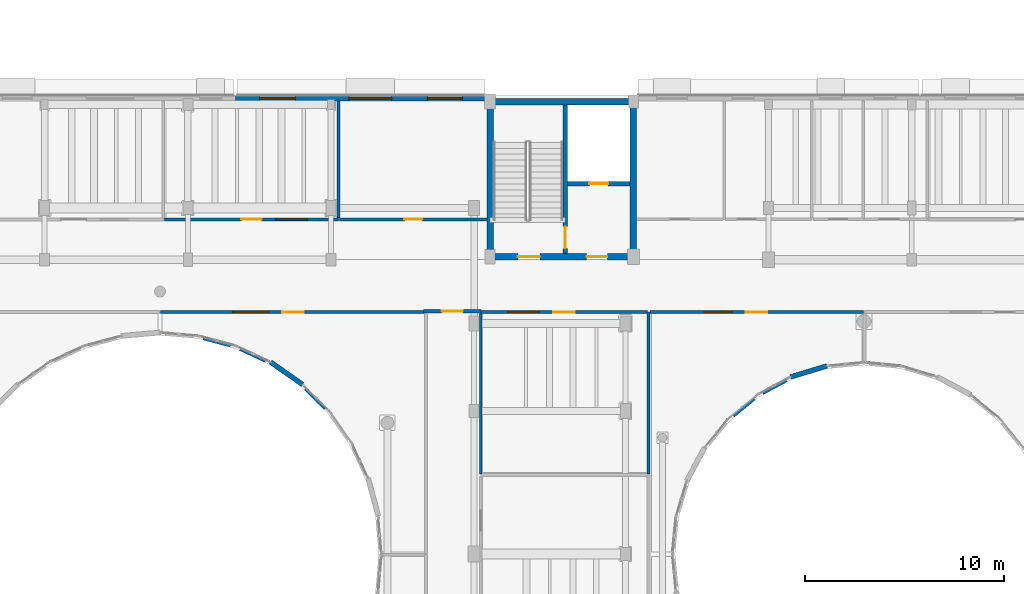
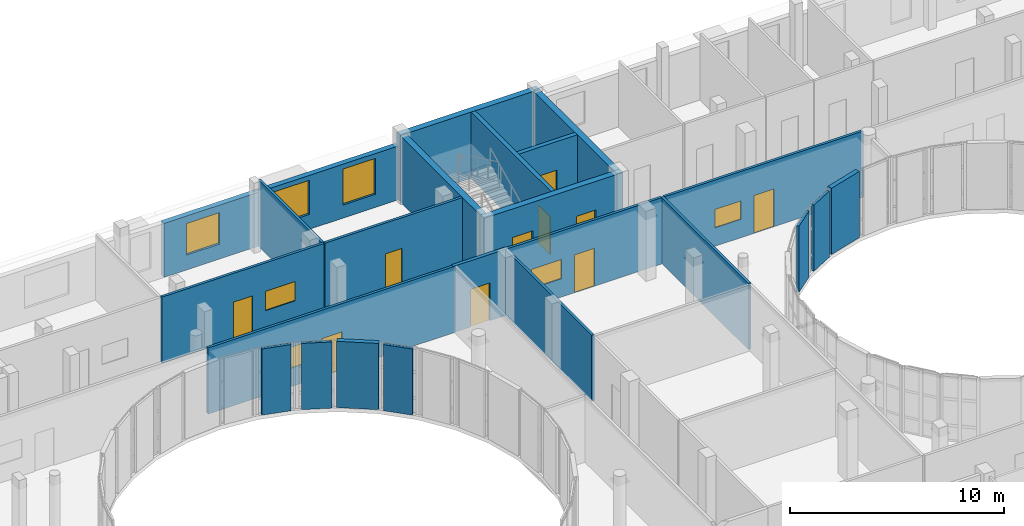
# One storey, part 83 of 105: 23 walls, 10 doors, 7 windows, 17 openings.
"""IFC4 building model written with IfcOpenShell, lengths in metres."""

from ifc_helpers import new_model, si_unit, direction, frame, frame_2d, origin, place, context, subcontext, project, spatial, rectangle, extrude, material, layer, layer_set, type_object, element, fill, save


model = new_model("IFC4")

# Units and contexts
model_context = context("Model", 3, precision=1e-05, world=origin(), true_north=direction((0.0, 1.0)))
body_context = subcontext(model_context, "Body", "Model", "MODEL_VIEW")
ifc_project = project(units=[si_unit("LENGTHUNIT", "METRE"), si_unit("AREAUNIT", "SQUARE_METRE"), si_unit("VOLUMEUNIT", "CUBIC_METRE"), si_unit("PLANEANGLEUNIT", "RADIAN"), si_unit("MASSUNIT", "GRAM", prefix="KILO")], contexts=[model_context])

# Site, building, storey
site_placement = place(None, origin())
site = spatial("IfcSite", under=ifc_project, at=site_placement, CompositionType="ELEMENT")
building_placement = place(site_placement, origin())
building = spatial("IfcBuilding", under=site, at=building_placement, Name="Kelanivale Promenade Academy", CompositionType="ELEMENT")
storey_placement = place(building_placement, frame((0.0, 0.0, 4.199951171875)))
storey = spatial("IfcBuildingStorey", under=building, at=storey_placement, Name="L01", CompositionType="ELEMENT", Elevation=4.199951171875)

# Wall, openings, doors
ifc_material_1 = material(Name="Concrete C40/50", Category="concrete")
ifc_layer_1 = layer(ifc_material_1, 0.330078125)
ifc_layer_set_1 = layer_set([ifc_layer_1], Name="Concrete C40/50")
wall_type_1 = type_object("IfcWallType", Name="CW-S1 Wall 330mm", PredefinedType="SHEAR", material=ifc_layer_set_1)
wall_1_placement = place(storey_placement, frame((79.8349609375, 71.75, 0.0), z_axis=(0.0, 0.0, 1.0), x_axis=(1.0, 0.0, 0.0)))
wall_1 = element("IfcWall", 1, at=wall_1_placement, inside=storey, type_object=wall_type_1, Name="CORE-2 RC shear wall S L01", PredefinedType="SHEAR", context=body_context, shape_type="SweptSolid", body=[
    extrude(rectangle(XDim=7.530029296875, YDim=0.330078125, at=frame_2d((3.76513671875, 0.0))), origin(), (0.0, 0.0, 1.0), 3.780029296875),
])
opening_1_placement = place(wall_1_placement, frame((5.014892578125, 0.0, 0.0)))
opening_1 = element("IfcOpeningElement", 2, at=opening_1_placement, cuts=wall_1, Name="Opening FD-CORE-2-LB-L01", PredefinedType="OPENING", context=body_context, shape_type="SweptSolid", body=[
    extrude(rectangle(XDim=1.050048828125, YDim=2.14990234375, at=frame_2d((0.52490234375, 1.074951171875))), frame((0.0, 0.175048828125, 0.0), z_axis=(0.0, -1.0, 0.0), x_axis=(1.0, 0.0, 0.0)), (0.0, 0.0, 1.0), 0.35009765625),
])
opening_2_placement = place(wall_1_placement, frame((1.56494140625, 0.0, 0.0)))
opening_2 = element("IfcOpeningElement", 3, at=opening_2_placement, cuts=wall_1, Name="Opening FD-CORE-2-ST-L01", PredefinedType="OPENING", context=body_context, shape_type="SweptSolid", body=[
    extrude(rectangle(XDim=1.10009765625, YDim=2.14990234375, at=frame_2d((0.550048828125, 1.074951171875))), frame((0.0, 0.175048828125, 0.0), z_axis=(0.0, -1.0, 0.0), x_axis=(1.0, 0.0, 0.0)), (0.0, 0.0, 1.0), 0.35009765625),
])
ifc_material_2 = material(Name="Fire-rated steel-core teak veneer", Category="steel")
door_type_1 = type_object("IfcDoorType", Name="DT-F01 Door 1100x2150", OperationType="NOTDEFINED", PredefinedType="DOOR", material=ifc_material_2)
door_1_placement = place(opening_2_placement, frame((1.10009765625, 0.0, 0.0), z_axis=(0.0, 0.0, 1.0), x_axis=(-1.0, 0.0, 0.0)))
door_1 = element("IfcDoor", 4, at=door_1_placement, inside=storey, type_object=door_type_1, Name="CORE-2 protected stair fire door L01", OperationType="SINGLE_SWING_RIGHT", OverallHeight=2.14990234375, OverallWidth=1.10009765625, PredefinedType="DOOR", context=body_context, shape_type="SweptSolid", body=[
    extrude(rectangle(XDim=1.10009765625, YDim=2.14990234375, at=frame_2d((0.550048828125, 1.074951171875))), frame((0.0, 0.02490234375, 0.0), z_axis=(0.0, -1.0, 0.0), x_axis=(1.0, 0.0, 0.0)), (0.0, 0.0, 1.0), 0.050048828125),
])
fill(opening_2, door_1)
door_type_2 = type_object("IfcDoorType", Name="DT-F03 Door 1050x2150", OperationType="NOTDEFINED", PredefinedType="DOOR", material=ifc_material_2)
door_2_placement = place(opening_1_placement, origin())
door_2 = element("IfcDoor", 5, at=door_2_placement, inside=storey, type_object=door_type_2, Name="CORE-2 corridor-to-lobby fire door L01", OperationType="SINGLE_SWING_LEFT", OverallHeight=2.14990234375, OverallWidth=1.050048828125, PredefinedType="DOOR", context=body_context, shape_type="SweptSolid", body=[
    extrude(rectangle(XDim=1.050048828125, YDim=2.14990234375, at=frame_2d((0.52490234375, 1.074951171875))), frame((0.0, 0.02490234375, 0.0), z_axis=(0.0, -1.0, 0.0), x_axis=(1.0, 0.0, 0.0)), (0.0, 0.0, 1.0), 0.050048828125),
])
fill(opening_1, door_2)

# Walls
wall_2_placement = place(storey_placement, frame((79.8349609375, 79.550048828125, 0.0), z_axis=(0.0, 0.0, 1.0), x_axis=(1.0, 0.0, 0.0)))
element("IfcWall", 6, at=wall_2_placement, inside=storey, type_object=wall_type_1, Name="CORE-2 RC shear wall N L01", PredefinedType="SHEAR", context=body_context, shape_type="SweptSolid", body=[
    extrude(rectangle(XDim=7.530029296875, YDim=0.330078125, at=frame_2d((3.76513671875, 0.0))), origin(), (0.0, 0.0, 1.0), 3.780029296875),
])
for number, where, z_axis, x_axis, name in (
    (7, (80.0, 71.9150390625, 0.0), (0.0, 0.0, 1.0), (0.0, 1.0, 0.0), "CORE-2 RC shear wall W L01"),
    (8, (87.199951171875, 71.9150390625, 0.0), (0.0, 0.0, 1.0), (0.0, 1.0, 0.0), "CORE-2 RC shear wall E L01"),
):
    element("IfcWall", number, at=place(storey_placement, frame(where, z_axis=z_axis, x_axis=x_axis)), inside=storey, type_object=wall_type_1, Name=name, PredefinedType="SHEAR", context=body_context, shape_type="SweptSolid", body=[
        extrude(rectangle(XDim=7.469970703125, YDim=0.330078125, at=frame_2d((3.73486328125, 0.0))), origin(), (0.0, 0.0, 1.0), 3.780029296875),
    ])

# Wall, opening, door
ifc_layer_2 = layer(ifc_material_1, 0.22509765625)
ifc_layer_set_2 = layer_set([ifc_layer_2], Name="Concrete C40/50")
wall_type_2 = type_object("IfcWallType", Name="CW-S2 Wall 225mm", PredefinedType="SHEAR", material=ifc_layer_set_2)
wall_3_placement = place(storey_placement, frame((83.885009765625, 75.419921875, 0.0), z_axis=(0.0, 0.0, 1.0), x_axis=(1.0, 0.0, 0.0)))
wall_3 = element("IfcWall", 9, at=wall_3_placement, inside=storey, type_object=wall_type_2, Name="CORE-2 lift shaft front RC wall L01", PredefinedType="SHEAR", context=body_context, shape_type="SweptSolid", body=[
    extrude(rectangle(XDim=3.14990234375, YDim=0.22509765625, at=frame_2d((1.574951171875, 0.0))), origin(), (0.0, 0.0, 1.0), 3.780029296875),
])
opening_3_placement = place(wall_3_placement, frame((1.10009765625, 0.0, 0.0)))
opening_3 = element("IfcOpeningElement", 10, at=opening_3_placement, cuts=wall_3, Name="Opening LD-LF-FF2-L01", PredefinedType="OPENING", context=body_context, shape_type="SweptSolid", body=[
    extrude(rectangle(XDim=0.949951171875, YDim=2.14990234375, at=frame_2d((0.47509765625, 1.074951171875))), frame((0.0, 0.12255859375, 0.0), z_axis=(0.0, -1.0, 0.0), x_axis=(1.0, 0.0, 0.0)), (0.0, 0.0, 1.0), 0.2451171875),
])
door_type_3 = type_object("IfcDoorType", Name="LD-FF1 Door 950x2150", OperationType="NOTDEFINED", PredefinedType="DOOR", material=ifc_material_2)
door_3_placement = place(opening_3_placement, origin())
door_3 = element("IfcDoor", 11, at=door_3_placement, inside=storey, type_object=door_type_3, Name="Firefighting lift landing door LD-LF-FF2-L01", OperationType="SLIDING_TO_LEFT", OverallHeight=2.14990234375, OverallWidth=0.949951171875, PredefinedType="DOOR", context=body_context, shape_type="SweptSolid", body=[
    extrude(rectangle(XDim=0.949951171875, YDim=2.14990234375, at=frame_2d((0.47509765625, 1.074951171875))), frame((0.0, 0.02490234375, 0.0), z_axis=(0.0, -1.0, 0.0), x_axis=(1.0, 0.0, 0.0)), (0.0, 0.0, 1.0), 0.050048828125),
])
fill(opening_3, door_3)

ifc_layer_3 = layer(ifc_material_1, 0.219970703125)
ifc_layer_set_3 = layer_set([ifc_layer_3], Name="Concrete C40/50")
wall_type_3 = type_object("IfcWallType", Name="CW-S3 Wall 220mm", PredefinedType="SHEAR", material=ifc_layer_set_3)
wall_4_placement = place(storey_placement, frame((83.77490234375, 71.9150390625, 0.0), z_axis=(0.0, 0.0, 1.0), x_axis=(0.0, 1.0, 0.0)))
wall_4 = element("IfcWall", 12, at=wall_4_placement, inside=storey, type_object=wall_type_3, Name="CORE-2 stair-lobby dividing RC wall L01", PredefinedType="SHEAR", context=body_context, shape_type="SweptSolid", body=[
    extrude(rectangle(XDim=7.469970703125, YDim=0.219970703125, at=frame_2d((3.73486328125, 0.0))), origin(), (0.0, 0.0, 1.0), 3.780029296875),
])
opening_4_placement = place(wall_4_placement, frame((0.25, 0.0, 0.0)))
opening_4 = element("IfcOpeningElement", 13, at=opening_4_placement, cuts=wall_4, Name="Opening FD-CORE-2-SL-L01", PredefinedType="OPENING", context=body_context, shape_type="SweptSolid", body=[
    extrude(rectangle(XDim=1.10009765625, YDim=2.14990234375, at=frame_2d((0.550048828125, 1.074951171875))), frame((0.0, 0.1201171875, 0.0), z_axis=(0.0, -1.0, 0.0), x_axis=(1.0, 0.0, 0.0)), (0.0, 0.0, 1.0), 0.239990234375),
])
door_4_placement = place(opening_4_placement, origin())
door_4 = element("IfcDoor", 14, at=door_4_placement, inside=storey, type_object=door_type_1, Name="CORE-2 lobby-to-stair fire door L01", OperationType="SINGLE_SWING_RIGHT", OverallHeight=2.14990234375, OverallWidth=1.10009765625, PredefinedType="DOOR", context=body_context, shape_type="SweptSolid", body=[
    extrude(rectangle(XDim=1.10009765625, YDim=2.14990234375, at=frame_2d((0.550048828125, 1.074951171875))), frame((0.0, 0.02490234375, 0.0), z_axis=(0.0, -1.0, 0.0), x_axis=(1.0, 0.0, 0.0)), (0.0, 0.0, 1.0), 0.050048828125),
])
fill(opening_4, door_4)

# Wall, openings, windows
ifc_material_3 = material(Name="Insulated ivory stucco masonry wall 280 mm", Category="masonry")
ifc_layer_4 = layer(ifc_material_3, 0.280029296875)
ifc_layer_set_4 = layer_set([ifc_layer_4], Name="Insulated ivory stucco masonry wall 280 mm")
wall_type_4 = type_object("IfcWallType", Name="EW-02 Wall 280mm", PredefinedType="SOLIDWALL", material=ifc_layer_set_4)
wall_5_placement = place(storey_placement, frame((79.8349609375, 79.7099609375, 0.0), z_axis=(0.0, 0.0, 1.0), x_axis=(-1.0, 0.0, 0.0)))
wall_5 = element("IfcWall", 15, at=wall_5_placement, inside=storey, type_object=wall_type_4, Name="L01 exterior facade wall EW-L01-ORT-0382", PredefinedType="SOLIDWALL", context=body_context, shape_type="SweptSolid", body=[
    extrude(rectangle(XDim=12.635009765625, YDim=0.280029296875, at=frame_2d((6.3173828125, 0.0))), origin(), (0.0, 0.0, 1.0), 3.074951171875),
])
opening_5_placement = place(wall_5_placement, frame((1.23095703125, 0.0, 0.75)))
opening_5 = element("IfcOpeningElement", 16, at=opening_5_placement, cuts=wall_5, Name="Opening WT-32", PredefinedType="OPENING", context=body_context, shape_type="SweptSolid", body=[
    extrude(rectangle(XDim=1.75, YDim=2.050048828125, at=frame_2d((0.875, 1.02490234375))), frame((0.0, 0.14990234375, 0.0), z_axis=(0.0, -1.0, 0.0), x_axis=(1.0, 0.0, 0.0)), (0.0, 0.0, 1.0), 0.300048828125),
])
opening_6_placement = place(wall_5_placement, frame((4.7919921875, 0.0, 0.85009765625)))
opening_6 = element("IfcOpeningElement", 17, at=opening_6_placement, cuts=wall_5, Name="Opening WT-33", PredefinedType="OPENING", context=body_context, shape_type="SweptSolid", body=[
    extrude(rectangle(XDim=2.14990234375, YDim=1.949951171875, at=frame_2d((1.074951171875, 0.97509765625))), frame((0.0, 0.14990234375, 0.0), z_axis=(0.0, -1.0, 0.0), x_axis=(1.0, 0.0, 0.0)), (0.0, 0.0, 1.0), 0.300048828125),
])
opening_7_placement = place(wall_5_placement, frame((9.62890625, 0.0, 0.85009765625)))
opening_7 = element("IfcOpeningElement", 18, at=opening_7_placement, cuts=wall_5, Name="Opening WT-01", PredefinedType="OPENING", context=body_context, shape_type="SweptSolid", body=[
    extrude(rectangle(XDim=1.800048828125, YDim=1.800048828125, at=frame_2d((0.89990234375, 0.89990234375))), frame((0.0, 0.14990234375, 0.0), z_axis=(0.0, -1.0, 0.0), x_axis=(1.0, 0.0, 0.0)), (0.0, 0.0, 1.0), 0.300048828125),
])
ifc_material_4 = material(Name="Bronze anodised aluminium frame with low-E laminated glass", Category="aluminium")
window_type_1 = type_object("IfcWindowType", Name="WT-01 Window 1800x1800", PartitioningType="SINGLE_PANEL", PredefinedType="WINDOW", material=ifc_material_4)
window_1_placement = place(opening_7_placement, origin())
window_1 = element("IfcWindow", 19, at=window_1_placement, inside=storey, type_object=window_type_1, Name="Window WT-01", OverallHeight=1.800048828125, OverallWidth=1.800048828125, PartitioningType="SINGLE_PANEL", PredefinedType="WINDOW", context=body_context, shape_type="SweptSolid", body=[
    extrude(rectangle(XDim=1.800048828125, YDim=1.800048828125, at=frame_2d((0.89990234375, 0.89990234375))), frame((0.0, 0.030029296875, 0.0), z_axis=(0.0, -1.0, 0.0), x_axis=(1.0, 0.0, 0.0)), (0.0, 0.0, 1.0), 0.06005859375),
])
fill(opening_7, window_1)
window_type_2 = type_object("IfcWindowType", Name="WT-32 Window 1750x2050", PartitioningType="SINGLE_PANEL", PredefinedType="WINDOW", material=ifc_material_4)
window_2_placement = place(opening_5_placement, origin())
window_2 = element("IfcWindow", 20, at=window_2_placement, inside=storey, type_object=window_type_2, Name="Window WT-32", OverallHeight=2.050048828125, OverallWidth=1.75, PartitioningType="SINGLE_PANEL", PredefinedType="WINDOW", context=body_context, shape_type="SweptSolid", body=[
    extrude(rectangle(XDim=1.75, YDim=2.050048828125, at=frame_2d((0.875, 1.02490234375))), frame((0.0, 0.030029296875, 0.0), z_axis=(0.0, -1.0, 0.0), x_axis=(1.0, 0.0, 0.0)), (0.0, 0.0, 1.0), 0.06005859375),
])
fill(opening_5, window_2)
window_type_3 = type_object("IfcWindowType", Name="WT-33 Window 2150x1950", PartitioningType="SINGLE_PANEL", PredefinedType="WINDOW", material=ifc_material_4)
window_3_placement = place(opening_6_placement, origin())
window_3 = element("IfcWindow", 21, at=window_3_placement, inside=storey, type_object=window_type_3, Name="Window WT-33", OverallHeight=1.949951171875, OverallWidth=2.14990234375, PartitioningType="SINGLE_PANEL", PredefinedType="WINDOW", context=body_context, shape_type="SweptSolid", body=[
    extrude(rectangle(XDim=2.14990234375, YDim=1.949951171875, at=frame_2d((1.074951171875, 0.97509765625))), frame((0.0, 0.030029296875, 0.0), z_axis=(0.0, -1.0, 0.0), x_axis=(1.0, 0.0, 0.0)), (0.0, 0.0, 1.0), 0.06005859375),
])
fill(opening_6, window_3)

# Walls
ifc_material_5 = material(Name="Insulated courtyard stucco masonry wall 240 mm", Category="masonry")
ifc_layer_5 = layer(ifc_material_5, 0.239990234375)
ifc_layer_set_5 = layer_set([ifc_layer_5], Name="Insulated courtyard stucco masonry wall 240 mm")
wall_type_5 = type_object("IfcWallType", Name="EW-04 Wall 240mm", PredefinedType="SOLIDWALL", material=ifc_layer_set_5)
wall_6_placement = place(storey_placement, frame((96.929931640625, 66.258056640625, 0.0), z_axis=(0.0, 0.0, 1.0), x_axis=(-0.957102771605, -0.289748657608, 0.0)))
element("IfcWall", 22, at=wall_6_placement, inside=storey, type_object=wall_type_5, Name="L01 round courtyard stucco wall", PredefinedType="SOLIDWALL", context=body_context, shape_type="SweptSolid", body=[
    extrude(rectangle(XDim=1.911865234375, YDim=0.239990234375, at=frame_2d((0.9560546875, 0.0))), origin(), (0.0, 0.0, 1.0), 3.780029296875),
])
wall_7_placement = place(storey_placement, frame((70.571044921875, 65.326904296875, 0.0), z_axis=(0.0, 0.0, 1.0), x_axis=(-0.819132771028, 0.573603960436, 0.0)))
element("IfcWall", 23, at=wall_7_placement, inside=storey, type_object=wall_type_5, Name="L01 round courtyard stucco wall", PredefinedType="SOLIDWALL", context=body_context, shape_type="SweptSolid", body=[
    extrude(rectangle(XDim=1.966796875, YDim=0.239990234375, at=frame_2d((0.9833984375, 0.0))), origin(), (0.0, 0.0, 1.0), 3.780029296875),
])

# Wall, opening, door
ifc_material_6 = material(Name="Autoclaved masonry blockwork 180 mm", Category="masonry")
ifc_layer_6 = layer(ifc_material_6, 0.179931640625)
ifc_layer_set_6 = layer_set([ifc_layer_6], Name="Autoclaved masonry blockwork 180 mm")
wall_type_6 = type_object("IfcWallType", Name="IW-02 Wall 180mm", PredefinedType="PARTITIONING", material=ifc_layer_set_6)
wall_8_placement = place(storey_placement, frame((76.64990234375, 69.0, 0.0), z_axis=(0.0, 0.0, 1.0), x_axis=(1.0, 0.0, 0.0)))
wall_8 = element("IfcWall", 24, at=wall_8_placement, inside=storey, type_object=wall_type_6, Name="L01 cross-corridor fire wall", PredefinedType="PARTITIONING", context=body_context, shape_type="SweptSolid", body=[
    extrude(rectangle(XDim=2.900146484375, YDim=0.179931640625, at=frame_2d((1.4501953125, 0.0))), origin(), (0.0, 0.0, 1.0), 3.780029296875),
])
opening_8_placement = place(wall_8_placement, frame((0.925048828125, 0.0, 0.0)))
opening_8 = element("IfcOpeningElement", 25, at=opening_8_placement, cuts=wall_8, Name="Opening FD-L01-CC-062", PredefinedType="OPENING", context=body_context, shape_type="SweptSolid", body=[
    extrude(rectangle(XDim=1.050048828125, YDim=2.14990234375, at=frame_2d((0.52490234375, 1.074951171875))), frame((0.0, 0.10009765625, 0.0), z_axis=(0.0, -1.0, 0.0), x_axis=(1.0, 0.0, 0.0)), (0.0, 0.0, 1.0), 0.199951171875),
])
door_5_placement = place(opening_8_placement, origin())
door_5 = element("IfcDoor", 26, at=door_5_placement, inside=storey, type_object=door_type_2, Name="L01 cross-corridor fire door FD-L01-CC-062", OperationType="SINGLE_SWING_LEFT", OverallHeight=2.14990234375, OverallWidth=1.050048828125, PredefinedType="DOOR", context=body_context, shape_type="SweptSolid", body=[
    extrude(rectangle(XDim=1.050048828125, YDim=2.14990234375, at=frame_2d((0.52490234375, 1.074951171875))), frame((0.0, 0.02490234375, 0.0), z_axis=(0.0, -1.0, 0.0), x_axis=(1.0, 0.0, 0.0)), (0.0, 0.0, 1.0), 0.050048828125),
])
fill(opening_8, door_5)

# Walls
ifc_material_7 = material(Name="Acoustic double-stud gypsum board partition 140 mm", Category="masonry")
ifc_layer_7 = layer(ifc_material_7, 0.139892578125)
ifc_layer_set_7 = layer_set([ifc_layer_7], Name="Acoustic double-stud gypsum board partition 140 mm")
wall_type_7 = type_object("IfcWallType", Name="IW-04 Wall 140mm", PredefinedType="PARTITIONING", material=ifc_layer_set_7)
wall_9_placement = place(storey_placement, frame((79.530029296875, 68.912109375, 0.0), z_axis=(0.0, 0.0, 1.0), x_axis=(0.0, -1.0, 0.0)))
element("IfcWall", 27, at=wall_9_placement, inside=storey, type_object=wall_type_7, Name="L01 partition Geography Classroom", PredefinedType="PARTITIONING", context=body_context, shape_type="SweptSolid", body=[
    extrude(rectangle(XDim=8.07421875, YDim=0.139892578125, at=frame_2d((4.037109375, 0.0))), origin(), (0.0, 0.0, 1.0), 3.775146484375),
])
wall_10_placement = place(storey_placement, frame((87.969970703125, 60.830078125, 0.0), z_axis=(0.0, 0.0, 1.0), x_axis=(0.0, 1.0, 0.0)))
element("IfcWall", 28, at=wall_10_placement, inside=storey, type_object=wall_type_7, Name="L01 partition Geography Classroom", PredefinedType="PARTITIONING", context=body_context, shape_type="SweptSolid", body=[
    extrude(rectangle(XDim=8.139892578125, YDim=0.139892578125, at=frame_2d((4.06982421875, 0.0))), origin(), (0.0, 0.0, 1.0), 3.775146484375),
])

# Wall, openings, door, window
wall_11_placement = place(storey_placement, frame((87.902099609375, 68.969970703125, 0.0), z_axis=(0.0, 0.0, 1.0), x_axis=(-1.0, 0.0, 0.0)))
wall_11 = element("IfcWall", 29, at=wall_11_placement, inside=storey, type_object=wall_type_7, Name="L01 partition Geography Classroom", PredefinedType="PARTITIONING", context=body_context, shape_type="SweptSolid", body=[
    extrude(rectangle(XDim=8.3720703125, YDim=0.139892578125, at=frame_2d((4.18603515625, 0.0))), origin(), (0.0, 0.0, 1.0), 3.775146484375),
])
opening_9_placement = place(wall_11_placement, frame((3.64599609375, 0.0, 0.0)))
opening_9 = element("IfcOpeningElement", 30, at=opening_9_placement, cuts=wall_11, Name="Opening ID-L01-080", PredefinedType="OPENING", context=body_context, shape_type="SweptSolid", body=[
    extrude(rectangle(XDim=1.080078125, YDim=2.159912109375, at=frame_2d((0.5400390625, 1.080078125))), frame((0.0, 0.080078125, 0.0), z_axis=(0.0, -1.0, 0.0), x_axis=(1.0, 0.0, 0.0)), (0.0, 0.0, 1.0), 0.159912109375),
])
opening_10_placement = place(wall_11_placement, frame((5.426025390625, 0.0, 1.050048828125)))
opening_10 = element("IfcOpeningElement", 31, at=opening_10_placement, cuts=wall_11, Name="Opening WT-I01", PredefinedType="OPENING", context=body_context, shape_type="SweptSolid", body=[
    extrude(rectangle(XDim=1.60009765625, YDim=1.10009765625, at=frame_2d((0.800048828125, 0.550048828125))), frame((0.0, 0.080078125, 0.0), z_axis=(0.0, -1.0, 0.0), x_axis=(1.0, 0.0, 0.0)), (0.0, 0.0, 1.0), 0.159912109375),
])
ifc_material_8 = material(Name="Solid-core tropical teak timber", Category="wood")
door_type_4 = type_object("IfcDoorType", Name="DT-I16 Door 1080x2160", OperationType="NOTDEFINED", PredefinedType="DOOR", material=ifc_material_8)
door_6_placement = place(opening_9_placement, origin())
door_6 = element("IfcDoor", 32, at=door_6_placement, inside=storey, type_object=door_type_4, Name="Geography Classroom door ID-L01-080", OperationType="SINGLE_SWING_RIGHT", OverallHeight=2.159912109375, OverallWidth=1.080078125, PredefinedType="DOOR", context=body_context, shape_type="SweptSolid", body=[
    extrude(rectangle(XDim=1.080078125, YDim=2.159912109375, at=frame_2d((0.5400390625, 1.080078125))), frame((0.0, 0.02490234375, 0.0), z_axis=(0.0, -1.0, 0.0), x_axis=(1.0, 0.0, 0.0)), (0.0, 0.0, 1.0), 0.050048828125),
])
fill(opening_9, door_6)
window_type_4 = type_object("IfcWindowType", Name="WT-I01 Window 1600x1100", PartitioningType="SINGLE_PANEL", PredefinedType="WINDOW", material=ifc_material_4)
window_4_placement = place(opening_10_placement, origin())
window_4 = element("IfcWindow", 33, at=window_4_placement, inside=storey, type_object=window_type_4, Name="Interior observation window WT-I01", OverallHeight=1.10009765625, OverallWidth=1.60009765625, PartitioningType="SINGLE_PANEL", PredefinedType="WINDOW", context=body_context, shape_type="SweptSolid", body=[
    extrude(rectangle(XDim=1.60009765625, YDim=1.10009765625, at=frame_2d((0.800048828125, 0.550048828125))), frame((0.0, 0.030029296875, 0.0), z_axis=(0.0, -1.0, 0.0), x_axis=(1.0, 0.0, 0.0)), (0.0, 0.0, 1.0), 0.06005859375),
])
fill(opening_10, window_4)

# Wall
wall_12_placement = place(storey_placement, frame((70.698974609375, 65.096923828125, 0.0), z_axis=(0.0, 0.0, 1.0), x_axis=(0.707193272138, -0.707020279655, 0.0)))
element("IfcWall", 34, at=wall_12_placement, inside=storey, type_object=wall_type_7, Name="L01 partition Geography Classroom Courtyard North", PredefinedType="PARTITIONING", context=body_context, shape_type="SweptSolid", body=[
    extrude(rectangle(XDim=1.411376953125, YDim=0.139892578125, at=frame_2d((0.70556640625, 0.0))), origin(), (0.0, 0.0, 1.0), 3.775146484375),
])

# Wall, openings, door, window
wall_13_placement = place(storey_placement, frame((76.77001953125, 68.969970703125, 0.0), z_axis=(0.0, 0.0, 1.0), x_axis=(-1.0, 0.0, 0.0)))
wall_13 = element("IfcWall", 35, at=wall_13_placement, inside=storey, type_object=wall_type_7, Name="L01 partition Geography Classroom Courtyard North", PredefinedType="PARTITIONING", context=body_context, shape_type="SweptSolid", body=[
    extrude(rectangle(XDim=13.340087890625, YDim=0.139892578125, at=frame_2d((6.669921875, 0.0))), origin(), (0.0, 0.0, 1.0), 3.775146484375),
])
opening_11_placement = place(wall_13_placement, frame((6.1298828125, 0.0, 0.0)))
opening_11 = element("IfcOpeningElement", 36, at=opening_11_placement, cuts=wall_13, Name="Opening ID-L01-084", PredefinedType="OPENING", context=body_context, shape_type="SweptSolid", body=[
    extrude(rectangle(XDim=1.080078125, YDim=2.159912109375, at=frame_2d((0.5400390625, 1.080078125))), frame((0.0, 0.080078125, 0.0), z_axis=(0.0, -1.0, 0.0), x_axis=(1.0, 0.0, 0.0)), (0.0, 0.0, 1.0), 0.159912109375),
])
opening_12_placement = place(wall_13_placement, frame((7.909912109375, 0.0, 1.050048828125)))
opening_12 = element("IfcOpeningElement", 37, at=opening_12_placement, cuts=wall_13, Name="Opening WT-I02", PredefinedType="OPENING", context=body_context, shape_type="SweptSolid", body=[
    extrude(rectangle(XDim=1.800048828125, YDim=1.199951171875, at=frame_2d((0.89990234375, 0.60009765625))), frame((0.0, 0.080078125, 0.0), z_axis=(0.0, -1.0, 0.0), x_axis=(1.0, 0.0, 0.0)), (0.0, 0.0, 1.0), 0.159912109375),
])
door_7_placement = place(opening_11_placement, origin())
door_7 = element("IfcDoor", 38, at=door_7_placement, inside=storey, type_object=door_type_4, Name="Geography Classroom Courtyard North door ID-L01-084", OperationType="SINGLE_SWING_RIGHT", OverallHeight=2.159912109375, OverallWidth=1.080078125, PredefinedType="DOOR", context=body_context, shape_type="SweptSolid", body=[
    extrude(rectangle(XDim=1.080078125, YDim=2.159912109375, at=frame_2d((0.5400390625, 1.080078125))), frame((0.0, 0.02490234375, 0.0), z_axis=(0.0, -1.0, 0.0), x_axis=(1.0, 0.0, 0.0)), (0.0, 0.0, 1.0), 0.050048828125),
])
fill(opening_11, door_7)
window_type_5 = type_object("IfcWindowType", Name="WT-I02 Window 1800x1200", PartitioningType="SINGLE_PANEL", PredefinedType="WINDOW", material=ifc_material_4)
window_5_placement = place(opening_12_placement, origin())
window_5 = element("IfcWindow", 39, at=window_5_placement, inside=storey, type_object=window_type_5, Name="Interior observation window WT-I02", OverallHeight=1.199951171875, OverallWidth=1.800048828125, PartitioningType="SINGLE_PANEL", PredefinedType="WINDOW", context=body_context, shape_type="SweptSolid", body=[
    extrude(rectangle(XDim=1.800048828125, YDim=1.199951171875, at=frame_2d((0.89990234375, 0.60009765625))), frame((0.0, 0.030029296875, 0.0), z_axis=(0.0, -1.0, 0.0), x_axis=(1.0, 0.0, 0.0)), (0.0, 0.0, 1.0), 0.06005859375),
])
fill(opening_12, window_5)

# Walls
wall_14_placement = place(storey_placement, frame((65.572021484375, 67.635009765625, 0.0), z_axis=(0.0, 0.0, 1.0), x_axis=(0.966013611766, -0.258491202719, 0.0)))
element("IfcWall", 40, at=wall_14_placement, inside=storey, type_object=wall_type_7, Name="L01 partition Geography Classroom Courtyard North", PredefinedType="PARTITIONING", context=body_context, shape_type="SweptSolid", body=[
    extrude(rectangle(XDim=1.412109375, YDim=0.139892578125, at=frame_2d((0.7060546875, 0.0))), origin(), (0.0, 0.0, 1.0), 3.775146484375),
])
wall_15_placement = place(storey_placement, frame((67.4208984375, 67.093994140625, 0.0), z_axis=(0.0, 0.0, 1.0), x_axis=(0.906032979506, -0.423207088844, 0.0)))
element("IfcWall", 41, at=wall_15_placement, inside=storey, type_object=wall_type_7, Name="L01 partition Geography Classroom Courtyard North", PredefinedType="PARTITIONING", context=body_context, shape_type="SweptSolid", body=[
    extrude(rectangle(XDim=1.412841796875, YDim=0.139892578125, at=frame_2d((0.70654296875, 0.0))), origin(), (0.0, 0.0, 1.0), 3.775146484375),
])
wall_16_placement = place(storey_placement, frame((92.23291015625, 63.73193359375, 0.0), z_axis=(0.0, 0.0, 1.0), x_axis=(0.772962530207, 0.634451674201, 0.0)))
element("IfcWall", 42, at=wall_16_placement, inside=storey, type_object=wall_type_7, Name="L01 partition Language Studio Courtyard East-North", PredefinedType="PARTITIONING", context=body_context, shape_type="SweptSolid", body=[
    extrude(rectangle(XDim=1.357177734375, YDim=0.139892578125, at=frame_2d((0.6787109375, 0.0))), origin(), (0.0, 0.0, 1.0), 3.775146484375),
])
wall_17_placement = place(storey_placement, frame((93.7119140625, 64.8798828125, 0.0), z_axis=(0.0, 0.0, 1.0), x_axis=(0.882123740571, 0.471017734614, 0.0)))
element("IfcWall", 43, at=wall_17_placement, inside=storey, type_object=wall_type_7, Name="L01 partition Language Studio Courtyard East-North", PredefinedType="PARTITIONING", context=body_context, shape_type="SweptSolid", body=[
    extrude(rectangle(XDim=1.35693359375, YDim=0.139892578125, at=frame_2d((0.678466796875, 0.0))), origin(), (0.0, 0.0, 1.0), 3.775146484375),
])

# Wall, openings, door, window
wall_18_placement = place(storey_placement, frame((98.77001953125, 68.969970703125, 0.0), z_axis=(0.0, 0.0, 1.0), x_axis=(-1.0, 0.0, 0.0)))
wall_18 = element("IfcWall", 44, at=wall_18_placement, inside=storey, type_object=wall_type_7, Name="L01 partition Language Studio Courtyard East-North", PredefinedType="PARTITIONING", context=body_context, shape_type="SweptSolid", body=[
    extrude(rectangle(XDim=10.73193359375, YDim=0.139892578125, at=frame_2d((5.365966796875, 0.0))), origin(), (0.0, 0.0, 1.0), 3.775146484375),
])
opening_13_placement = place(wall_18_placement, frame((4.825927734375, 0.0, 0.0)))
opening_13 = element("IfcOpeningElement", 45, at=opening_13_placement, cuts=wall_18, Name="Opening ID-L01-088", PredefinedType="OPENING", context=body_context, shape_type="SweptSolid", body=[
    extrude(rectangle(XDim=1.080078125, YDim=2.159912109375, at=frame_2d((0.5400390625, 1.080078125))), frame((0.0, 0.080078125, 0.0), z_axis=(0.0, -1.0, 0.0), x_axis=(1.0, 0.0, 0.0)), (0.0, 0.0, 1.0), 0.159912109375),
])
opening_14_placement = place(wall_18_placement, frame((6.60595703125, 0.0, 1.050048828125)))
opening_14 = element("IfcOpeningElement", 46, at=opening_14_placement, cuts=wall_18, Name="Opening WT-I03", PredefinedType="OPENING", context=body_context, shape_type="SweptSolid", body=[
    extrude(rectangle(XDim=1.39990234375, YDim=1.050048828125, at=frame_2d((0.699951171875, 0.52490234375))), frame((0.0, 0.080078125, 0.0), z_axis=(0.0, -1.0, 0.0), x_axis=(1.0, 0.0, 0.0)), (0.0, 0.0, 1.0), 0.159912109375),
])
door_8_placement = place(opening_13_placement, origin())
door_8 = element("IfcDoor", 47, at=door_8_placement, inside=storey, type_object=door_type_4, Name="Language Studio Courtyard East-North door ID-L01-088", OperationType="SINGLE_SWING_RIGHT", OverallHeight=2.159912109375, OverallWidth=1.080078125, PredefinedType="DOOR", context=body_context, shape_type="SweptSolid", body=[
    extrude(rectangle(XDim=1.080078125, YDim=2.159912109375, at=frame_2d((0.5400390625, 1.080078125))), frame((0.0, 0.02490234375, 0.0), z_axis=(0.0, -1.0, 0.0), x_axis=(1.0, 0.0, 0.0)), (0.0, 0.0, 1.0), 0.050048828125),
])
fill(opening_13, door_8)
window_type_6 = type_object("IfcWindowType", Name="WT-I03 Window 1400x1050", PartitioningType="SINGLE_PANEL", PredefinedType="WINDOW", material=ifc_material_4)
window_6_placement = place(opening_14_placement, origin())
window_6 = element("IfcWindow", 48, at=window_6_placement, inside=storey, type_object=window_type_6, Name="Interior observation window WT-I03", OverallHeight=1.050048828125, OverallWidth=1.39990234375, PartitioningType="SINGLE_PANEL", PredefinedType="WINDOW", context=body_context, shape_type="SweptSolid", body=[
    extrude(rectangle(XDim=1.39990234375, YDim=1.050048828125, at=frame_2d((0.699951171875, 0.52490234375))), frame((0.0, 0.030029296875, 0.0), z_axis=(0.0, -1.0, 0.0), x_axis=(1.0, 0.0, 0.0)), (0.0, 0.0, 1.0), 0.06005859375),
])
fill(opening_14, window_6)

wall_19_placement = place(storey_placement, frame((63.6298828125, 73.6298828125, 0.0), z_axis=(0.0, 0.0, 1.0), x_axis=(1.0, 0.0, 0.0)))
wall_19 = element("IfcWall", 49, at=wall_19_placement, inside=storey, type_object=wall_type_7, Name="L01 partition Language Studio North", PredefinedType="PARTITIONING", context=body_context, shape_type="SweptSolid", body=[
    extrude(rectangle(XDim=8.740234375, YDim=0.139892578125, at=frame_2d((4.3701171875, 0.0))), origin(), (0.0, 0.0, 1.0), 3.775146484375),
])
opening_15_placement = place(wall_19_placement, frame((3.860107421875, 0.0, 0.0)))
opening_15 = element("IfcOpeningElement", 50, at=opening_15_placement, cuts=wall_19, Name="Opening ID-L01-095", PredefinedType="OPENING", context=body_context, shape_type="SweptSolid", body=[
    extrude(rectangle(XDim=1.02001953125, YDim=2.139892578125, at=frame_2d((0.510009765625, 1.06982421875))), frame((0.0, 0.080078125, 0.0), z_axis=(0.0, -1.0, 0.0), x_axis=(1.0, 0.0, 0.0)), (0.0, 0.0, 1.0), 0.159912109375),
])
opening_16_placement = place(wall_19_placement, frame((5.580078125, 0.0, 1.050048828125)))
opening_16 = element("IfcOpeningElement", 51, at=opening_16_placement, cuts=wall_19, Name="Opening WT-I01", PredefinedType="OPENING", context=body_context, shape_type="SweptSolid", body=[
    extrude(rectangle(XDim=1.60009765625, YDim=1.10009765625, at=frame_2d((0.800048828125, 0.550048828125))), frame((0.0, 0.080078125, 0.0), z_axis=(0.0, -1.0, 0.0), x_axis=(1.0, 0.0, 0.0)), (0.0, 0.0, 1.0), 0.159912109375),
])
door_type_5 = type_object("IfcDoorType", Name="DT-I15 Door 1020x2140", OperationType="NOTDEFINED", PredefinedType="DOOR", material=ifc_material_8)
door_9_placement = place(opening_15_placement, origin())
door_9 = element("IfcDoor", 52, at=door_9_placement, inside=storey, type_object=door_type_5, Name="Language Studio North door ID-L01-095", OperationType="SINGLE_SWING_LEFT", OverallHeight=2.139892578125, OverallWidth=1.02001953125, PredefinedType="DOOR", context=body_context, shape_type="SweptSolid", body=[
    extrude(rectangle(XDim=1.02001953125, YDim=2.139892578125, at=frame_2d((0.510009765625, 1.06982421875))), frame((0.0, 0.02490234375, 0.0), z_axis=(0.0, -1.0, 0.0), x_axis=(1.0, 0.0, 0.0)), (0.0, 0.0, 1.0), 0.050048828125),
])
fill(opening_15, door_9)
window_7_placement = place(opening_16_placement, origin())
window_7 = element("IfcWindow", 53, at=window_7_placement, inside=storey, type_object=window_type_4, Name="Interior observation window WT-I01", OverallHeight=1.10009765625, OverallWidth=1.60009765625, PartitioningType="SINGLE_PANEL", PredefinedType="WINDOW", context=body_context, shape_type="SweptSolid", body=[
    extrude(rectangle(XDim=1.60009765625, YDim=1.10009765625, at=frame_2d((0.800048828125, 0.550048828125))), frame((0.0, 0.030029296875, 0.0), z_axis=(0.0, -1.0, 0.0), x_axis=(1.0, 0.0, 0.0)), (0.0, 0.0, 1.0), 0.06005859375),
])
fill(opening_16, window_7)

# Wall
wall_20_placement = place(storey_placement, frame((72.3701171875, 73.697998046875, 0.0), z_axis=(0.0, 0.0, 1.0), x_axis=(0.0, 1.0, 0.0)))
element("IfcWall", 54, at=wall_20_placement, inside=storey, type_object=wall_type_7, Name="L01 partition Language Studio North", PredefinedType="PARTITIONING", context=body_context, shape_type="SweptSolid", body=[
    extrude(rectangle(XDim=5.8740234375, YDim=0.139892578125, at=frame_2d((2.93701171875, 0.0))), origin(), (0.0, 0.0, 1.0), 3.775146484375),
])

# Wall, opening, door
wall_21_placement = place(storey_placement, frame((72.429931640625, 73.6298828125, 0.0), z_axis=(0.0, 0.0, 1.0), x_axis=(1.0, 0.0, 0.0)))
wall_21 = element("IfcWall", 55, at=wall_21_placement, inside=storey, type_object=wall_type_7, Name="L01 partition Academic Resource Store", PredefinedType="PARTITIONING", context=body_context, shape_type="SweptSolid", body=[
    extrude(rectangle(XDim=7.406982421875, YDim=0.139892578125, at=frame_2d((3.70361328125, 0.0))), origin(), (0.0, 0.0, 1.0), 3.775146484375),
])
opening_17_placement = place(wall_21_placement, frame((3.2529296875, 0.0, 0.0)))
opening_17 = element("IfcOpeningElement", 56, at=opening_17_placement, cuts=wall_21, Name="Opening ID-L01-096", PredefinedType="OPENING", context=body_context, shape_type="SweptSolid", body=[
    extrude(rectangle(XDim=0.89990234375, YDim=2.02001953125, at=frame_2d((0.449951171875, 1.010009765625))), frame((0.0, 0.080078125, 0.0), z_axis=(0.0, -1.0, 0.0), x_axis=(1.0, 0.0, 0.0)), (0.0, 0.0, 1.0), 0.159912109375),
])
door_type_6 = type_object("IfcDoorType", Name="DT-I08 Door 900x2020", OperationType="NOTDEFINED", PredefinedType="DOOR", material=ifc_material_8)
door_10_placement = place(opening_17_placement, origin())
door_10 = element("IfcDoor", 57, at=door_10_placement, inside=storey, type_object=door_type_6, Name="Academic Resource Store door ID-L01-096", OperationType="SINGLE_SWING_RIGHT", OverallHeight=2.02001953125, OverallWidth=0.89990234375, PredefinedType="DOOR", context=body_context, shape_type="SweptSolid", body=[
    extrude(rectangle(XDim=0.89990234375, YDim=2.02001953125, at=frame_2d((0.449951171875, 1.010009765625))), frame((0.0, 0.02490234375, 0.0), z_axis=(0.0, -1.0, 0.0), x_axis=(1.0, 0.0, 0.0)), (0.0, 0.0, 1.0), 0.050048828125),
])
fill(opening_17, door_10)

save(model, "model.ifc")
